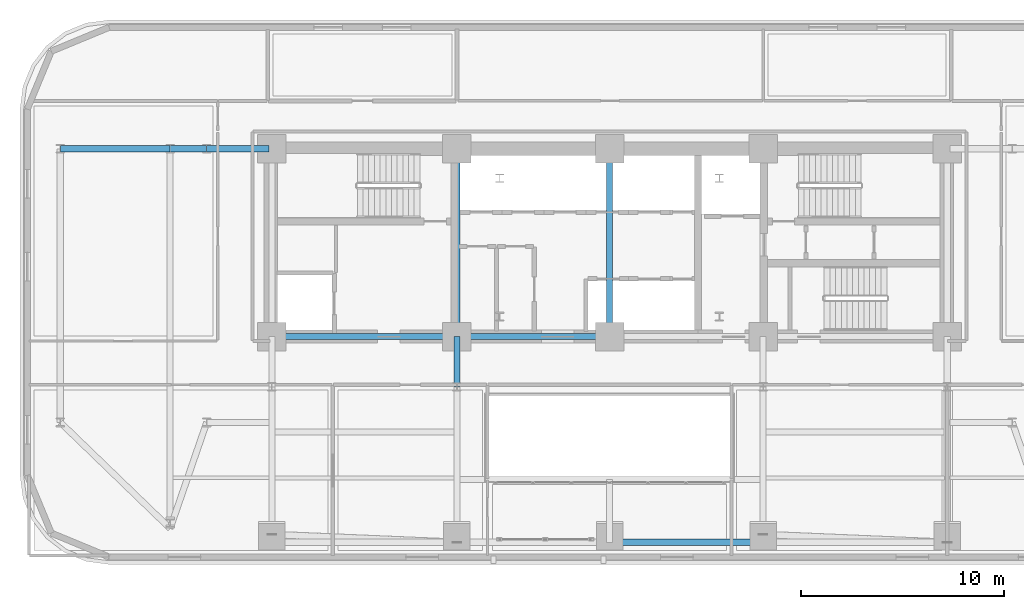
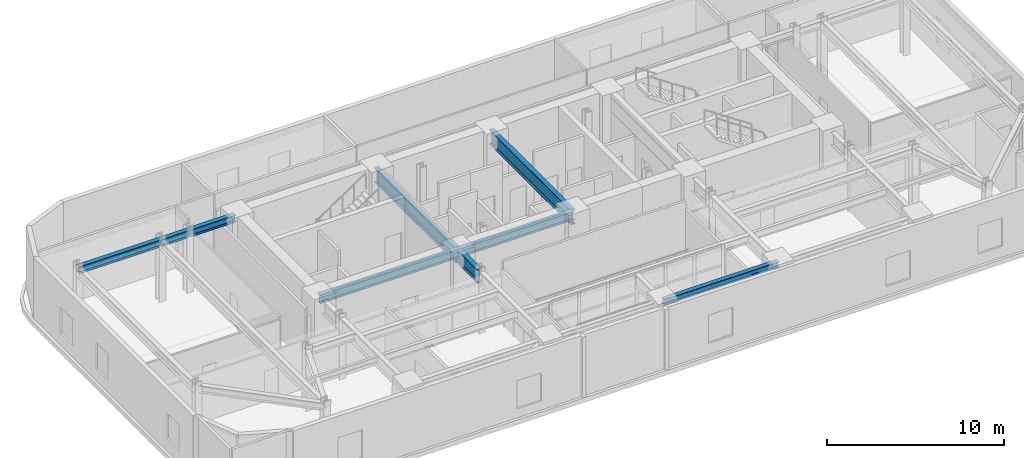
# One storey, part 4 of 14: 9 beams.
"""IFC4 building model written with IfcOpenShell, lengths in metres."""

from ifc_helpers import new_model, si_unit, direction, frame, origin, origin_2d, place, context, subcontext, project, spatial, i_section, extrude, material, material_profile, profile_set, type_object, element, save


model = new_model("IFC4")

# Units and contexts
model_context = context("Model", 3, precision=1e-05, world=origin(), true_north=direction((0.0, 1.0)))
body_context = subcontext(model_context, "Body", "Model", "MODEL_VIEW")
ifc_project = project(units=[si_unit("LENGTHUNIT", "METRE"), si_unit("AREAUNIT", "SQUARE_METRE"), si_unit("VOLUMEUNIT", "CUBIC_METRE"), si_unit("PLANEANGLEUNIT", "RADIAN"), si_unit("MASSUNIT", "GRAM", prefix="KILO")], contexts=[model_context])

# Site, building, storey
site_placement = place(None, origin())
site = spatial("IfcSite", under=ifc_project, at=site_placement, CompositionType="ELEMENT")
building_placement = place(site_placement, origin())
building = spatial("IfcBuilding", under=site, at=building_placement, Name="Zarnavel Station Tower", CompositionType="ELEMENT")
storey_placement = place(building_placement, frame((0.0, 0.0, 89.800048828125)))
storey = spatial("IfcBuildingStorey", under=building, at=storey_placement, Name="L24", CompositionType="ELEMENT", Elevation=89.800048828125)

# Beams
ifc_material_1 = material(Name="Steel S355J2", Category="steel")
ifc_material_profile_1 = material_profile(ifc_material_1, i_section(OverallWidth=0.300048828125, OverallDepth=0.39990234375, WebThickness=0.013427734375, FlangeThickness=0.02392578125, FilletRadius=0.027099609375, at=origin_2d()), Name="HEB400")
ifc_profile_set_1 = profile_set([ifc_material_profile_1], Name="Steel S355J2")
beam_type_1 = type_object("IfcBeamType", Name="EB_HEB400", PredefinedType="SPANDREL", material=ifc_profile_set_1)
beam_1_placement = place(storey_placement, frame((28.800048828125, 17.7060546875, 4.0400390625), z_axis=(1.0, 0.0, 0.0), x_axis=(0.0, 1.0, 0.0)))
element("IfcBeam", 1, at=beam_1_placement, inside=storey, type_object=beam_type_1, Name="L24 South Raked Spandrel 3", PredefinedType="SPANDREL", context=body_context, shape_type="SweptSolid", body=[
    extrude(i_section(OverallWidth=0.300048828125, OverallDepth=0.39990234375, WebThickness=0.013427734375, FlangeThickness=0.02392578125, FilletRadius=0.027099609375, at=origin_2d()), origin(), (0.0, 0.0, 1.0), 7.550048828125),
])
ifc_material_2 = material(Name="Steel S355J2", Category="steel")
ifc_material_profile_2 = material_profile(ifc_material_2, i_section(OverallWidth=0.300048828125, OverallDepth=0.5, WebThickness=0.014404296875, FlangeThickness=0.028076171875, FilletRadius=0.027099609375, at=origin_2d()), Name="HEB500")
ifc_profile_set_2 = profile_set([ifc_material_profile_2], Name="Steel S355J2")
beam_type_2 = type_object("IfcBeamType", Name="FG_HEB500", PredefinedType="USERDEFINED", material=ifc_profile_set_2)
beam_2_placement = place(storey_placement, frame((1.800048828125, 37.050048828125, 3.989990234375), z_axis=(1.0, 0.0, 0.0), x_axis=(0.0, 1.0, 0.0)))
element("IfcBeam", 2, at=beam_2_placement, inside=storey, type_object=beam_type_2, Name="L24 West Wing North Tie 1", ObjectType="GIRDER", PredefinedType="USERDEFINED", context=body_context, shape_type="SweptSolid", body=[
    extrude(i_section(OverallWidth=0.300048828125, OverallDepth=0.5, WebThickness=0.014404296875, FlangeThickness=0.028076171875, FilletRadius=0.027099609375, at=origin_2d()), origin(), (0.0, 0.0, 1.0), 5.39990234375),
])
beam_3_placement = place(storey_placement, frame((7.199951171875, 37.050048828125, 3.989990234375), z_axis=(1.0, 0.0, 0.0), x_axis=(0.0, 1.0, 0.0)))
element("IfcBeam", 3, at=beam_3_placement, inside=storey, type_object=beam_type_2, Name="L24 West Wing North Tie 2", ObjectType="GIRDER", PredefinedType="USERDEFINED", context=body_context, shape_type="SweptSolid", body=[
    extrude(i_section(OverallWidth=0.300048828125, OverallDepth=0.5, WebThickness=0.014404296875, FlangeThickness=0.028076171875, FilletRadius=0.027099609375, at=origin_2d()), origin(), (0.0, 0.0, 1.0), 1.800048828125),
])
beam_4_placement = place(storey_placement, frame((9.0, 37.050048828125, 3.989990234375), z_axis=(1.0, 0.0, 0.0), x_axis=(0.0, 1.0, 0.0)))
element("IfcBeam", 4, at=beam_4_placement, inside=storey, type_object=beam_type_2, Name="L24 West Wing North Tie 3", ObjectType="GIRDER", PredefinedType="USERDEFINED", context=body_context, shape_type="SweptSolid", body=[
    extrude(i_section(OverallWidth=0.300048828125, OverallDepth=0.5, WebThickness=0.014404296875, FlangeThickness=0.028076171875, FilletRadius=0.027099609375, at=origin_2d()), origin(), (0.0, 0.0, 1.0), 3.054931640625),
])
ifc_material_3 = material(Name="Steel S355J2", Category="steel")
ifc_material_profile_3 = material_profile(ifc_material_3, i_section(OverallWidth=0.300048828125, OverallDepth=0.60009765625, WebThickness=0.015380859375, FlangeThickness=0.030029296875, FilletRadius=0.027099609375, at=origin_2d()), Name="HEB600")
ifc_profile_set_3 = profile_set([ifc_material_profile_3], Name="Steel S355J2")
beam_type_3 = type_object("IfcBeamType", Name="FG_HEB600", PredefinedType="USERDEFINED", material=ifc_profile_set_3)
beam_5_placement = place(storey_placement, frame((12.199951171875, 27.820068359375, 3.93994140625), z_axis=(1.0, 0.0, 0.0), x_axis=(0.0, 1.0, 0.0)))
element("IfcBeam", 5, at=beam_5_placement, inside=storey, type_object=beam_type_3, Name="L24 Core Front Coupling Beam 1", ObjectType="GIRDER", PredefinedType="USERDEFINED", context=body_context, shape_type="SweptSolid", body=[
    extrude(i_section(OverallWidth=0.300048828125, OverallDepth=0.60009765625, WebThickness=0.015380859375, FlangeThickness=0.030029296875, FilletRadius=0.027099609375, at=origin_2d()), origin(), (0.0, 0.0, 1.0), 9.10009765625),
])
beam_6_placement = place(storey_placement, frame((21.300048828125, 27.820068359375, 3.93994140625), z_axis=(1.0, 0.0, 0.0), x_axis=(0.0, 1.0, 0.0)))
element("IfcBeam", 6, at=beam_6_placement, inside=storey, type_object=beam_type_3, Name="L24 Core Front Coupling Beam 2", ObjectType="GIRDER", PredefinedType="USERDEFINED", context=body_context, shape_type="SweptSolid", body=[
    extrude(i_section(OverallWidth=0.300048828125, OverallDepth=0.60009765625, WebThickness=0.015380859375, FlangeThickness=0.030029296875, FilletRadius=0.027099609375, at=origin_2d()), origin(), (0.0, 0.0, 1.0), 7.5),
])
ifc_material_4 = material(Name="Steel S460M", Category="steel")
ifc_material_profile_4 = material_profile(ifc_material_4, i_section(OverallWidth=0.302001953125, OverallDepth=1.008056640625, WebThickness=0.02099609375, FlangeThickness=0.0400390625, FilletRadius=0.030029296875, at=origin_2d()), Name="HEM1000")
ifc_profile_set_4 = profile_set([ifc_material_profile_4], Name="Steel S460M")
beam_type_4 = type_object("IfcBeamType", Name="TG_HEM1000", PredefinedType="USERDEFINED", material=ifc_profile_set_4)
for number, where, z_axis, x_axis, name in (
    (7, (21.300048828125, 27.820068359375, 3.73583984375), (0.0, 1.0, 0.0), (-1.0, 0.0, 0.0), "L24 Core Spine Coupling Girder 2"),
    (8, (28.800048828125, 27.820068359375, 3.73583984375), (0.0, 1.0, 0.0), (-1.0, 0.0, 0.0), "L24 Core Spine Coupling Girder 3"),
):
    element("IfcBeam", number, at=place(storey_placement, frame(where, z_axis=z_axis, x_axis=x_axis)), inside=storey, type_object=beam_type_4, Name=name, ObjectType="GIRDER", PredefinedType="USERDEFINED", context=body_context, shape_type="SweptSolid", body=[
        extrude(i_section(OverallWidth=0.302001953125, OverallDepth=1.008056640625, WebThickness=0.02099609375, FlangeThickness=0.0400390625, FilletRadius=0.030029296875, at=origin_2d()), origin(), (0.0, 0.0, 1.0), 9.22998046875),
    ])
ifc_material_5 = material(Name="Steel S460M", Category="steel")
ifc_material_profile_5 = material_profile(ifc_material_5, i_section(OverallWidth=0.302001953125, OverallDepth=0.909912109375, WebThickness=0.02099609375, FlangeThickness=0.0400390625, FilletRadius=0.030029296875, at=origin_2d()), Name="HEM900")
ifc_profile_set_5 = profile_set([ifc_material_profile_5], Name="Steel S460M")
beam_type_5 = type_object("IfcBeamType", Name="TG_HEM900", PredefinedType="USERDEFINED", material=ifc_profile_set_5)
beam_7_placement = place(storey_placement, frame((21.300048828125, 25.35009765625, 3.784912109375), z_axis=(0.0, 1.0, 0.0), x_axis=(-1.0, 0.0, 0.0)))
element("IfcBeam", 9, at=beam_7_placement, inside=storey, type_object=beam_type_5, Name="L24 Inner-Zone NS Girder 2", ObjectType="GIRDER", PredefinedType="USERDEFINED", context=body_context, shape_type="SweptSolid", body=[
    extrude(i_section(OverallWidth=0.302001953125, OverallDepth=0.909912109375, WebThickness=0.02099609375, FlangeThickness=0.0400390625, FilletRadius=0.030029296875, at=origin_2d()), origin(), (0.0, 0.0, 1.0), 2.469970703125),
])

save(model, "model.ifc")
